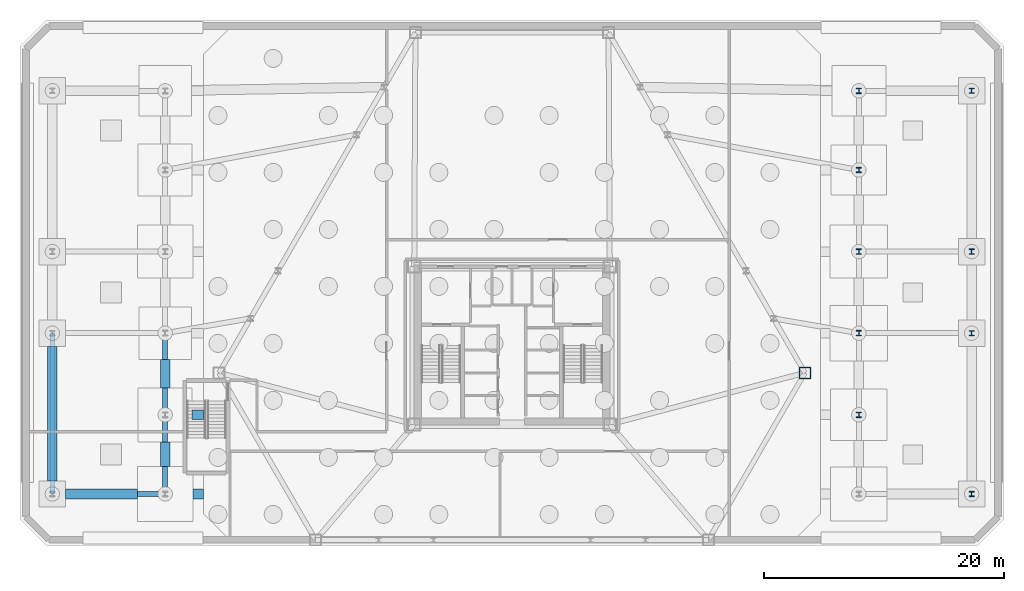
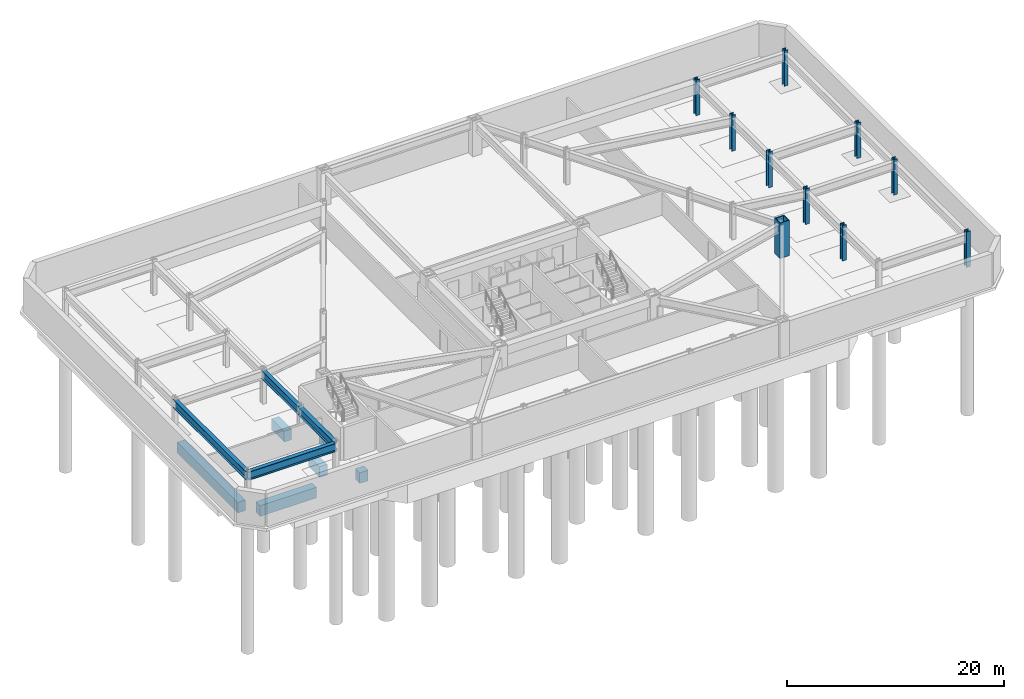
# One storey, part 3 of 8: 10 beams, 10 columns.
"""IFC4 building model written with IfcOpenShell, lengths in metres."""

import ifcopenshell
import ifcopenshell.guid

model = None  # the IFC model being written
_history = None  # IfcOwnerHistory: only IFC2X3 demands one
_inside = {}  # id of a spatial element -> (the spatial element, [elements in it])
_under = {}  # id of a project, library or spatial element -> (it, [spatial elements below it])
_declared = {}  # id of a project -> (the project, [libraries it declares])
_typed = {}  # id of a type object -> (the type object, [elements of that type])
_made_of = {}  # id of a material, layer set ... -> (it, [elements and type objects made of it])


def new_model(schema):
    """Start an empty IFC model of exactly this schema.

    Asked for "IFC4X3", IfcOpenShell would pick the latest addendum, in which some entities
    have other attributes; the version numbers below select the first issue.
    IFC2X3 requires an IfcOwnerHistory on every rooted entity: one is made here for all.
    """
    global model, _history
    if schema == "IFC4X3":
        model = ifcopenshell.file(schema_version=(4, 3, 0, 0))
    else:
        model = ifcopenshell.file(schema=schema)
    _inside.clear()
    _under.clear()
    _declared.clear()
    _typed.clear()
    _made_of.clear()
    _history = None
    if model.schema == "IFC2X3":
        org = make("IfcOrganization", Name="unknown")
        user = make(
            "IfcPersonAndOrganization",
            ThePerson=make("IfcPerson", FamilyName="unknown"),
            TheOrganization=org,
        )
        app = make(
            "IfcApplication",
            ApplicationDeveloper=org,
            Version="unknown",
            ApplicationFullName="unknown",
            ApplicationIdentifier="unknown",
        )
        _history = make(
            "IfcOwnerHistory",
            OwningUser=user,
            OwningApplication=app,
            ChangeAction="ADDED",
            CreationDate=0,
        )
    return model


def make(cls, **values):
    """One entity of the class cls with the attributes given. An attribute that is None is left unset."""
    return model.create_entity(
        cls, **{name: value for name, value in values.items() if value is not None}
    )


def rooted(cls, **values):
    """An entity with a GlobalId (a new one), such as an element, a storey or a relation."""
    return make(cls, GlobalId=ifcopenshell.guid.new(), OwnerHistory=_history, **values)


def si_unit(unit_type, name, prefix=None):
    """IfcSIUnit, for example si_unit("LENGTHUNIT", "METRE", prefix="MILLI")."""
    return make("IfcSIUnit", UnitType=unit_type, Prefix=prefix, Name=name)


def assignment(units):
    """IfcUnitAssignment: the units of a project."""
    return None if units is None else make("IfcUnitAssignment", Units=units)


def point(xyz):
    """IfcCartesianPoint."""
    return None if xyz is None else make("IfcCartesianPoint", Coordinates=xyz)


def direction(xyz):
    """IfcDirection."""
    return None if xyz is None else make("IfcDirection", DirectionRatios=xyz)


def frame(location, z_axis=None, x_axis=None):
    """IfcAxis2Placement3D, a coordinate frame: its origin and axes. An axis left out is left unset."""
    return make(
        "IfcAxis2Placement3D",
        Location=point(location),
        Axis=direction(z_axis),
        RefDirection=direction(x_axis),
    )


def frame_2d(location, x_axis=None):
    """IfcAxis2Placement2D, a coordinate frame in the plane: its origin and x axis."""
    return make(
        "IfcAxis2Placement2D", Location=point(location), RefDirection=direction(x_axis)
    )


def origin():
    """The frame at (0, 0, 0) with its axes left unset."""
    return frame((0.0, 0.0, 0.0))


def origin_2d():
    """The frame at (0, 0) in the plane with its x axis left unset."""
    return frame_2d((0.0, 0.0))


def place(relative_to, where):
    """IfcLocalPlacement: puts the frame where relative to a parent placement (None: the world)."""
    return make(
        "IfcLocalPlacement", PlacementRelTo=relative_to, RelativePlacement=where
    )


def context(
    kind, dimensions, precision=None, world=None, true_north=None, identifier=None
):
    """IfcGeometricRepresentationContext, for example the 3D "Model" context."""
    return make(
        "IfcGeometricRepresentationContext",
        ContextIdentifier=identifier,
        ContextType=kind,
        CoordinateSpaceDimension=dimensions,
        Precision=precision,
        WorldCoordinateSystem=world,
        TrueNorth=true_north,
    )


def subcontext(parent, identifier, kind, view, scale=None):
    """IfcGeometricRepresentationSubContext, for example "Body" below "Model"."""
    return make(
        "IfcGeometricRepresentationSubContext",
        ContextIdentifier=identifier,
        ContextType=kind,
        ParentContext=parent,
        TargetScale=scale,
        TargetView=view,
    )


def project(units=None, contexts=None):
    """IfcProject with its units and contexts."""
    return rooted(
        "IfcProject",
        Name="project",
        RepresentationContexts=contexts,
        UnitsInContext=assignment(units),
    )


def spatial(cls, under=None, at=None, **own):
    """A site, building, storey or space (cls), placed at a placement, below another one or the project."""
    s = rooted(cls, ObjectPlacement=at, **own)
    if under is not None:
        _under.setdefault(under.id(), (under, []))[1].append(s)
    return s


def profile(cls, at=None, kind="AREA", **sizes):
    """A parametric profile (cls). Its sizes go by their IFC names, for example OverallWidth=200.0."""
    return make(cls, ProfileType=kind, Position=at, **sizes)


def rectangle(**sizes):
    """IfcRectangleProfileDef."""
    return profile("IfcRectangleProfileDef", **sizes)


def hollow_rectangle(**sizes):
    """IfcRectangleHollowProfileDef."""
    return profile("IfcRectangleHollowProfileDef", **sizes)


def i_section(**sizes):
    """IfcIShapeProfileDef."""
    return profile("IfcIShapeProfileDef", **sizes)


def extrude(swept, where, along, depth):
    """IfcExtrudedAreaSolid: the profile swept, set in the frame where, extruded along a direction by depth."""
    return make(
        "IfcExtrudedAreaSolid",
        SweptArea=swept,
        Position=where,
        ExtrudedDirection=direction(along),
        Depth=depth,
    )


def shape(context_of_items, identifier, shape_type, items):
    """IfcShapeRepresentation: the items that make up one representation, for example the "Body"."""
    return make(
        "IfcShapeRepresentation",
        ContextOfItems=context_of_items,
        RepresentationIdentifier=identifier,
        RepresentationType=shape_type,
        Items=items,
    )


def material(Name=None, Category=None):
    """IfcMaterial."""
    return make("IfcMaterial", Name=Name, Category=Category)


def material_profile(
    of_material, cross_section, Name=None, Category=None, Priority=None
):
    """IfcMaterialProfile: a cross section and its material."""
    return make(
        "IfcMaterialProfile",
        Name=Name,
        Material=of_material,
        Profile=cross_section,
        Priority=Priority,
        Category=Category,
    )


def profile_set(profiles, Name=None, composite=None):
    """IfcMaterialProfileSet."""
    return make(
        "IfcMaterialProfileSet",
        Name=Name,
        MaterialProfiles=profiles,
        CompositeProfile=composite,
    )


def made_of(thing, what):
    """Note that an element or type object is made of a material, layer set ...; save() writes the relation."""
    if what is not None:
        _made_of.setdefault(what.id(), (what, []))[1].append(thing)
    return thing


def type_object(cls, material=None, **own):
    """A type object (cls), such as IfcWallType, which elements share."""
    return made_of(rooted(cls, **own), material)


def element(
    cls,
    number,
    at=None,
    inside=None,
    cuts=None,
    type_object=None,
    material=None,
    context=None,
    identifier="Body",
    shape_type=None,
    held_by="IfcProductDefinitionShape",
    body=None,
    shapes=None,
    **own,
):
    """One element of the class cls, such as IfcWall. Its Tag is "e" and its number.

    at: its placement. inside: the storey or other place that contains it. cuts: it is an
    opening in that element (IfcRelVoidsElement). A single representation is given by context,
    identifier, shape_type and body (its items); several are given by shapes. held_by: the class
    of the entity that holds the representations. save() writes the other relations.
    """
    e = rooted(cls, Tag="e%d" % number, ObjectPlacement=at, **own)
    if body is not None:
        shapes = [shape(context, identifier, shape_type, body)]
    if shapes is not None:
        e.Representation = make(held_by, Representations=shapes)
    if inside is not None:
        _inside.setdefault(inside.id(), (inside, []))[1].append(e)
    if cuts is not None:
        rooted(
            "IfcRelVoidsElement", RelatingBuildingElement=cuts, RelatedOpeningElement=e
        )
    if type_object is not None:
        _typed.setdefault(type_object.id(), (type_object, []))[1].append(e)
    return made_of(e, material)


def aggregate(whole, parts):
    """IfcRelAggregates: a whole, such as a stair, and the parts it consists of."""
    return rooted("IfcRelAggregates", RelatingObject=whole, RelatedObjects=parts)


def save(model, path):
    """Write the relations noted so far, then the file.

    IfcRelAggregates (storeys below a building ...), IfcRelContainedInSpatialStructure (elements
    in a storey), IfcRelDefinesByType, IfcRelAssociatesMaterial and IfcRelDeclares: one each for
    every whole, place, type object, material and project.
    """
    for whole, parts in _under.values():
        aggregate(whole, parts)
    for where, things in _inside.values():
        rooted(
            "IfcRelContainedInSpatialStructure",
            RelatedElements=things,
            RelatingStructure=where,
        )
    for kind, things in _typed.values():
        rooted("IfcRelDefinesByType", RelatedObjects=things, RelatingType=kind)
    for what, things in _made_of.values():
        rooted("IfcRelAssociatesMaterial", RelatedObjects=things, RelatingMaterial=what)
    for by, libraries in _declared.values():
        rooted("IfcRelDeclares", RelatingContext=by, RelatedDefinitions=libraries)
    model.write(path)


model = new_model("IFC4")

# Units and contexts
model_context = context("Model", 3, precision=1e-05, world=origin(), true_north=direction((0.0, 1.0)))
body_context = subcontext(model_context, "Body", "Model", "MODEL_VIEW")
ifc_project = project(units=[si_unit("LENGTHUNIT", "METRE"), si_unit("AREAUNIT", "SQUARE_METRE"), si_unit("VOLUMEUNIT", "CUBIC_METRE"), si_unit("PLANEANGLEUNIT", "RADIAN"), si_unit("MASSUNIT", "GRAM", prefix="KILO")], contexts=[model_context])

# Site, building, storey
site_placement = place(None, origin())
site = spatial("IfcSite", under=ifc_project, at=site_placement, CompositionType="ELEMENT")
building_placement = place(site_placement, origin())
building = spatial("IfcBuilding", under=site, at=building_placement, Name="Oramaril Tower", CompositionType="ELEMENT")
storey_placement = place(building_placement, frame((0.0, 0.0, -8.0)))
storey = spatial("IfcBuildingStorey", under=building, at=storey_placement, Name="B02", CompositionType="ELEMENT", Elevation=-8.0)

# Columns
ifc_material_1 = material(Name="Steel ASTM A572 Gr 50", Category="steel")
ifc_material_profile_1 = material_profile(ifc_material_1, hollow_rectangle(XDim=1.0, YDim=1.0, WallThickness=0.0849609375, at=origin_2d()), Name="BOX1000X1000X85")
ifc_profile_set_1 = profile_set([ifc_material_profile_1], Name="Steel ASTM A572 Gr 50")
column_type_1 = type_object("IfcColumnType", Name="CT-TC1", PredefinedType="COLUMN", material=ifc_profile_set_1)
column_placement = place(storey_placement, frame((61.910400390625, 15.300048828125, 0.0), z_axis=(0.0, 0.0, 1.0), x_axis=(1.0, 0.0, 0.0)))
element("IfcColumn", 1, at=column_placement, inside=storey, type_object=column_type_1, Name="B02 Tube Column TC-04", PredefinedType="COLUMN", context=body_context, shape_type="SweptSolid", body=[
    extrude(hollow_rectangle(XDim=1.0, YDim=1.0, WallThickness=0.0849609375, at=origin_2d()), origin(), (0.0, 0.0, 1.0), 3.99560546875),
])
ifc_material_2 = material(Name="Steel ASTM A572 Gr 50", Category="steel")
ifc_material_profile_2 = material_profile(ifc_material_2, i_section(OverallWidth=0.422119140625, OverallDepth=0.465087890625, WebThickness=0.044921875, FlangeThickness=0.072021484375, at=origin_2d()), Name="W14X398")
ifc_profile_set_2 = profile_set([ifc_material_profile_2], Name="Steel ASTM A572 Gr 50")
column_type_2 = type_object("IfcColumnType", Name="CT-TF1", PredefinedType="COLUMN", material=ifc_profile_set_2)
for number, where, z_axis, x_axis, name in (
    (2, (66.39990234375, 11.800048828125, 0.0), (0.0, 0.0, 1.0), (1.0, 0.0, 0.0), "B02 Podium Column PCOL-08"),
    (3, (66.39990234375, 18.60009765625, 0.0), (0.0, 0.0, 1.0), (1.0, 0.0, 0.0), "B02 Podium Column PCOL-09"),
    (4, (66.39990234375, 25.39990234375, 0.0), (0.0, 0.0, 1.0), (1.0, 0.0, 0.0), "B02 Podium Column PCOL-10"),
    (5, (66.39990234375, 32.199951171875, 0.0), (0.0, 0.0, 1.0), (1.0, 0.0, 0.0), "B02 Podium Column PCOL-11"),
    (6, (66.39990234375, 38.800048828125, 0.0), (0.0, 0.0, 1.0), (1.0, 0.0, 0.0), "B02 Podium Column PCOL-12"),
):
    element("IfcColumn", number, at=place(storey_placement, frame(where, z_axis=z_axis, x_axis=x_axis)), inside=storey, type_object=column_type_2, Name=name, PredefinedType="COLUMN", context=body_context, shape_type="SweptSolid", body=[
        extrude(i_section(OverallWidth=0.422119140625, OverallDepth=0.465087890625, WebThickness=0.044921875, FlangeThickness=0.072021484375, at=origin_2d()), origin(), (0.0, 0.0, 1.0), 4.0),
    ])
ifc_material_3 = material(Name="Steel ASTM A572 Gr 50", Category="steel")
ifc_material_profile_3 = material_profile(ifc_material_3, i_section(OverallWidth=0.410888671875, OverallDepth=0.43408203125, WebThickness=0.035888671875, FlangeThickness=0.057373046875, at=origin_2d()), Name="W14X311")
ifc_profile_set_3 = profile_set([ifc_material_profile_3], Name="Steel ASTM A572 Gr 50")
column_type_3 = type_object("IfcColumnType", Name="CT-TF2", PredefinedType="COLUMN", material=ifc_profile_set_3)
for number, where, z_axis, x_axis, name in (
    (7, (75.800048828125, 5.199951171875, 0.0), (0.0, 0.0, 1.0), (1.0, 0.0, 0.0), "B02 Lower Podium Wing Column WCOL-05"),
    (8, (75.800048828125, 18.60009765625, 0.0), (0.0, 0.0, 1.0), (1.0, 0.0, 0.0), "B02 Lower Podium Wing Column WCOL-06"),
    (9, (75.800048828125, 25.39990234375, 0.0), (0.0, 0.0, 1.0), (1.0, 0.0, 0.0), "B02 Lower Podium Wing Column WCOL-07"),
    (10, (75.800048828125, 38.800048828125, 0.0), (0.0, 0.0, 1.0), (1.0, 0.0, 0.0), "B02 Lower Podium Wing Column WCOL-08"),
):
    element("IfcColumn", number, at=place(storey_placement, frame(where, z_axis=z_axis, x_axis=x_axis)), inside=storey, type_object=column_type_3, Name=name, PredefinedType="COLUMN", context=body_context, shape_type="SweptSolid", body=[
        extrude(i_section(OverallWidth=0.410888671875, OverallDepth=0.43408203125, WebThickness=0.035888671875, FlangeThickness=0.057373046875, at=origin_2d()), origin(), (0.0, 0.0, 1.0), 4.0),
    ])

# Beams
ifc_material_4 = material(Name="Steel ASTM A572 Gr 50", Category="steel")
ifc_material_profile_4 = material_profile(ifc_material_4, i_section(OverallWidth=0.424072265625, OverallDepth=0.947021484375, WebThickness=0.02392578125, FlangeThickness=0.042724609375, at=origin_2d()), Name="W36X302")
ifc_profile_set_4 = profile_set([ifc_material_profile_4], Name="Steel ASTM A572 Gr 50")
beam_type_1 = type_object("IfcBeamType", Name="BT-PG1", PredefinedType="BEAM", material=ifc_profile_set_4)
beam_1_placement = place(storey_placement, frame((-0.800048828125, 5.199951171875, 3.24658203125), z_axis=(1.0, 0.0, 0.0), x_axis=(0.0, 1.0, 0.0)))
element("IfcBeam", 11, at=beam_1_placement, inside=storey, type_object=beam_type_1, Name="B02 Wing Transverse Girder 01", PredefinedType="BEAM", context=body_context, shape_type="SweptSolid", body=[
    extrude(i_section(OverallWidth=0.424072265625, OverallDepth=0.947021484375, WebThickness=0.02392578125, FlangeThickness=0.042724609375, at=origin_2d()), origin(), (0.0, 0.0, 1.0), 9.400146484375),
])
ifc_material_5 = material(Name="Steel ASTM A572 Gr 50", Category="steel")
ifc_material_profile_5 = material_profile(ifc_material_5, i_section(OverallWidth=0.4189453125, OverallDepth=0.927001953125, WebThickness=0.019287109375, FlangeThickness=0.031982421875, at=origin_2d()), Name="W36X231")
ifc_profile_set_5 = profile_set([ifc_material_profile_5], Name="Steel ASTM A572 Gr 50")
beam_type_2 = type_object("IfcBeamType", Name="BT-PG2", PredefinedType="BEAM", material=ifc_profile_set_5)
beam_2_placement = place(storey_placement, frame((8.60009765625, 5.199951171875, 3.256591796875), z_axis=(0.0, 1.0, 0.0), x_axis=(-1.0, 0.0, 0.0)))
element("IfcBeam", 12, at=beam_2_placement, inside=storey, type_object=beam_type_2, Name="B02 Podium Perimeter Girder 01", PredefinedType="BEAM", context=body_context, shape_type="SweptSolid", body=[
    extrude(i_section(OverallWidth=0.4189453125, OverallDepth=0.927001953125, WebThickness=0.019287109375, FlangeThickness=0.031982421875, at=origin_2d()), origin(), (0.0, 0.0, 1.0), 6.60009765625),
])
beam_3_placement = place(storey_placement, frame((8.60009765625, 11.800048828125, 3.256591796875), z_axis=(0.0, 1.0, 0.0), x_axis=(-1.0, 0.0, 0.0)))
element("IfcBeam", 13, at=beam_3_placement, inside=storey, type_object=beam_type_2, Name="B02 Podium Perimeter Girder 02", PredefinedType="BEAM", context=body_context, shape_type="SweptSolid", body=[
    extrude(i_section(OverallWidth=0.4189453125, OverallDepth=0.927001953125, WebThickness=0.019287109375, FlangeThickness=0.031982421875, at=origin_2d()), origin(), (0.0, 0.0, 1.0), 6.800048828125),
])
beam_4_placement = place(storey_placement, frame((-0.800048828125, 5.199951171875, 3.256591796875), z_axis=(0.0, 1.0, 0.0), x_axis=(-1.0, 0.0, 0.0)))
element("IfcBeam", 14, at=beam_4_placement, inside=storey, type_object=beam_type_2, Name="B02 Wing Perimeter Girder 01", PredefinedType="BEAM", context=body_context, shape_type="SweptSolid", body=[
    extrude(i_section(OverallWidth=0.4189453125, OverallDepth=0.927001953125, WebThickness=0.019287109375, FlangeThickness=0.031982421875, at=origin_2d()), origin(), (0.0, 0.0, 1.0), 13.400146484375),
])
ifc_material_6 = material(Name="Concrete C50/60", Category="concrete")
ifc_material_profile_6 = material_profile(ifc_material_6, rectangle(XDim=0.800048828125, YDim=1.199951171875, at=origin_2d()), Name="TB800X1200")
ifc_profile_set_6 = profile_set([ifc_material_profile_6], Name="Concrete C50/60")
beam_type_3 = type_object("IfcBeamType", Name="BT-TB1", PredefinedType="BEAM", material=ifc_profile_set_6)
beam_5_placement = place(storey_placement, frame((8.60009765625, 7.5, -0.949951171875), z_axis=(0.0, 1.0, 0.0), x_axis=(-1.0, 0.0, 0.0)))
element("IfcBeam", 15, at=beam_5_placement, inside=storey, type_object=beam_type_3, Name="Foundation Tie Beam TB-01", PredefinedType="BEAM", context=body_context, shape_type="SweptSolid", body=[
    extrude(rectangle(XDim=0.800048828125, YDim=1.199951171875, at=origin_2d()), origin(), (0.0, 0.0, 1.0), 2.050048828125),
])
beam_6_placement = place(storey_placement, frame((8.60009765625, 14.050048828125, -0.949951171875), z_axis=(0.0, 1.0, 0.0), x_axis=(-1.0, 0.0, 0.0)))
element("IfcBeam", 16, at=beam_6_placement, inside=storey, type_object=beam_type_3, Name="Foundation Tie Beam TB-02", PredefinedType="BEAM", context=body_context, shape_type="SweptSolid", body=[
    extrude(rectangle(XDim=0.800048828125, YDim=1.199951171875, at=origin_2d()), origin(), (0.0, 0.0, 1.0), 2.349853515625),
])
beam_7_placement = place(storey_placement, frame((10.89990234375, 5.199951171875, -0.949951171875), z_axis=(1.0, 0.0, 0.0), x_axis=(0.0, 1.0, 0.0)))
element("IfcBeam", 17, at=beam_7_placement, inside=storey, type_object=beam_type_3, Name="Foundation Tie Beam TB-11", PredefinedType="BEAM", context=body_context, shape_type="SweptSolid", body=[
    extrude(rectangle(XDim=0.800048828125, YDim=1.199951171875, at=origin_2d()), origin(), (0.0, 0.0, 1.0), 0.900146484375),
])
beam_8_placement = place(storey_placement, frame((10.85009765625, 11.800048828125, -0.949951171875), z_axis=(1.0, 0.0, 0.0), x_axis=(0.0, 1.0, 0.0)))
element("IfcBeam", 18, at=beam_8_placement, inside=storey, type_object=beam_type_3, Name="Foundation Tie Beam TB-12", PredefinedType="BEAM", context=body_context, shape_type="SweptSolid", body=[
    extrude(rectangle(XDim=0.800048828125, YDim=1.199951171875, at=origin_2d()), origin(), (0.0, 0.0, 1.0), 0.949951171875),
])
beam_9_placement = place(storey_placement, frame((-0.800048828125, 6.300048828125, -0.949951171875), z_axis=(0.0, 1.0, 0.0), x_axis=(-1.0, 0.0, 0.0)))
element("IfcBeam", 19, at=beam_9_placement, inside=storey, type_object=beam_type_3, Name="Foundation Tie Beam TB-23", PredefinedType="BEAM", context=body_context, shape_type="SweptSolid", body=[
    extrude(rectangle(XDim=0.800048828125, YDim=1.199951171875, at=origin_2d()), origin(), (0.0, 0.0, 1.0), 11.199951171875),
])
beam_10_placement = place(storey_placement, frame((0.300048828125, 5.199951171875, -0.949951171875), z_axis=(1.0, 0.0, 0.0), x_axis=(0.0, 1.0, 0.0)))
element("IfcBeam", 20, at=beam_10_placement, inside=storey, type_object=beam_type_3, Name="Foundation Tie Beam TB-29", PredefinedType="BEAM", context=body_context, shape_type="SweptSolid", body=[
    extrude(rectangle(XDim=0.800048828125, YDim=1.199951171875, at=origin_2d()), origin(), (0.0, 0.0, 1.0), 6.0),
])

save(model, "model.ifc")
